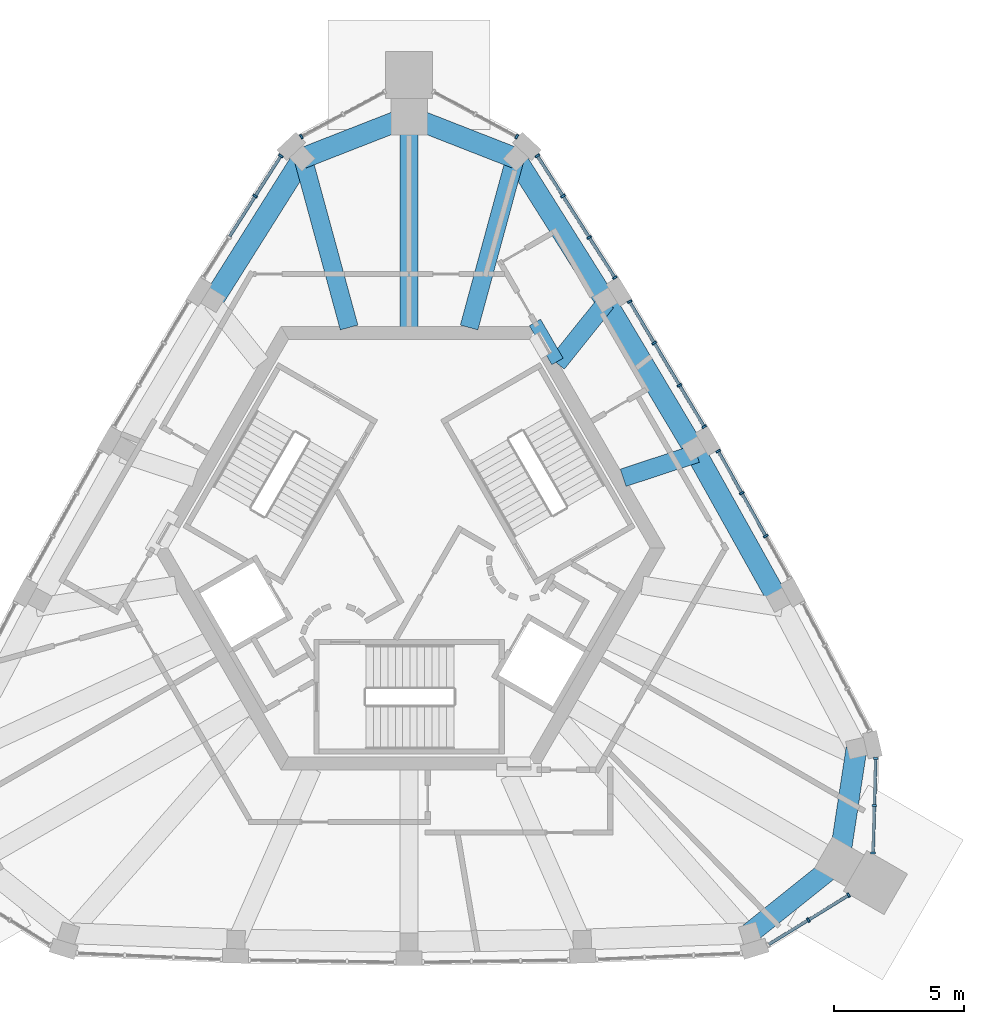
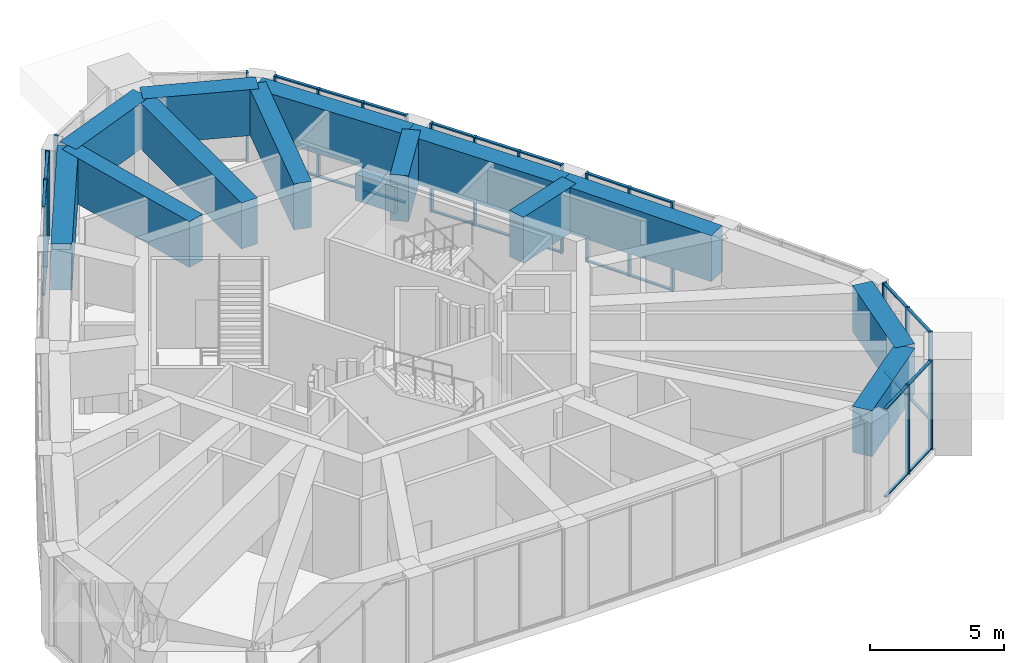
# One storey, part 4 of 11: 48 members, 14 beams, 8 elements without a shape of their own.
"""IFC4 building model written with IfcOpenShell, lengths in metres."""

from ifc_helpers import new_model, si_unit, direction, frame, origin, origin_2d, place, context, subcontext, project, spatial, rectangle, extrude, material, material_profile, profile_set, type_object, element, aggregate, save


model = new_model("IFC4")

# Units and contexts
model_context = context("Model", 3, precision=1e-05, world=origin(), true_north=direction((0.0, 1.0)))
body_context = subcontext(model_context, "Body", "Model", "MODEL_VIEW")
ifc_project = project(units=[si_unit("LENGTHUNIT", "METRE"), si_unit("AREAUNIT", "SQUARE_METRE"), si_unit("VOLUMEUNIT", "CUBIC_METRE"), si_unit("PLANEANGLEUNIT", "RADIAN"), si_unit("MASSUNIT", "GRAM", prefix="KILO")], contexts=[model_context])

# Site, building, storey
site_placement = place(None, origin())
site = spatial("IfcSite", under=ifc_project, at=site_placement, CompositionType="ELEMENT")
building_placement = place(site_placement, origin())
building = spatial("IfcBuilding", under=site, at=building_placement, Name="Entoto Arch Interchange Tower", CompositionType="ELEMENT")
storey_placement = place(building_placement, frame((0.0, 0.0, 353.89990234375)))
storey = spatial("IfcBuildingStorey", under=building, at=storey_placement, Name="L83", CompositionType="ELEMENT", Elevation=353.89990234375)

# Beams
ifc_material_1 = material(Name="Concrete C40/50", Category="concrete")
ifc_material_profile_1 = material_profile(ifc_material_1, rectangle(XDim=0.5, YDim=1.199951171875, at=origin_2d()))
ifc_profile_set_1 = profile_set([ifc_material_profile_1], Name="Concrete C40/50")
beam_type_1 = type_object("IfcBeamType", Name="Coupling beam RC 500x1200 C40/50", PredefinedType="BEAM", material=ifc_profile_set_1)
beam_1_placement = place(storey_placement, frame((5.68603515625, 9.65087890625, 3.0), z_axis=(-0.500105721196, 0.865964357019, 0.0), x_axis=(-0.865964357019, -0.500105721196, 0.0)))
element("IfcBeam", 1, at=beam_1_placement, inside=storey, type_object=beam_type_1, Name="Coupling beam NE L83", PredefinedType="BEAM", context=body_context, shape_type="SweptSolid", body=[
    extrude(rectangle(XDim=0.5, YDim=1.199951171875, at=origin_2d()), origin(), (0.0, 0.0, 1.0), 1.727783203125),
])
ifc_material_profile_2 = material_profile(ifc_material_1, rectangle(XDim=0.800048828125, YDim=2.10009765625, at=origin_2d()))
ifc_profile_set_2 = profile_set([ifc_material_profile_2], Name="Concrete C40/50")
beam_type_2 = type_object("IfcBeamType", Name="Crown ring girder RC 800x2100 C40/50", PredefinedType="BEAM", material=ifc_profile_set_2)
beam_2_placement = place(storey_placement, frame((13.055908203125, -12.260986328125, 3.0), z_axis=(0.781112826412, 0.624389904159, 0.0), x_axis=(-0.624389904159, 0.781112826412, 0.0)))
element("IfcBeam", 2, at=beam_2_placement, inside=storey, type_object=beam_type_2, Name="Crown ring girder 05 L83", PredefinedType="BEAM", context=body_context, shape_type="SweptSolid", body=[
    extrude(rectangle(XDim=0.800048828125, YDim=2.10009765625, at=origin_2d()), origin(), (0.0, 0.0, 1.0), 4.391357421875),
])
beam_3_placement = place(storey_placement, frame((16.486083984375, -9.51904296875, 3.0), z_axis=(0.150440816184, 0.988619017026, 0.0), x_axis=(-0.988619017026, 0.150440816184, 0.0)))
element("IfcBeam", 3, at=beam_3_placement, inside=storey, type_object=beam_type_2, Name="Crown ring girder 06 L83", PredefinedType="BEAM", context=body_context, shape_type="SweptSolid", body=[
    extrude(rectangle(XDim=0.800048828125, YDim=2.10009765625, at=origin_2d()), origin(), (0.0, 0.0, 1.0), 4.39306640625),
])
for number, where, z_axis, x_axis, name in (
    (4, (14.14892578125, 0.5048828125, 3.0), (-0.487630923437, 0.87304987401, 0.0), (-0.87304987401, -0.487630923437, 0.0), "Crown ring girder 08 L83"),
    (5, (10.912109375, 6.300048828125, 3.0), (-0.512233087574, 0.85884647289, 0.0), (-0.85884647289, -0.512233087574, 0.0), "Crown ring girder 09 L83"),
):
    element("IfcBeam", number, at=place(storey_placement, frame(where, z_axis=z_axis, x_axis=x_axis)), inside=storey, type_object=beam_type_2, Name=name, PredefinedType="BEAM", context=body_context, shape_type="SweptSolid", body=[
        extrude(rectangle(XDim=0.800048828125, YDim=2.10009765625, at=origin_2d()), origin(), (0.0, 0.0, 1.0), 6.637939453125),
    ])
beam_4_placement = place(storey_placement, frame((7.511962890625, 12.0009765625, 3.0), z_axis=(-0.53261363979, 0.846358500111, 0.0), x_axis=(-0.846358500111, -0.53261363979, 0.0)))
element("IfcBeam", 6, at=beam_4_placement, inside=storey, type_object=beam_type_2, Name="Crown ring girder 10 L83", PredefinedType="BEAM", context=body_context, shape_type="SweptSolid", body=[
    extrude(rectangle(XDim=0.800048828125, YDim=2.10009765625, at=origin_2d()), origin(), (0.0, 0.0, 1.0), 6.4228515625),
])
for number, where, z_axis, x_axis, name in (
    (7, (4.091064453125, 17.43701171875, 3.0), (-0.931300986831, 0.364250562015, 0.0), (-0.364250562015, -0.931300986831, 0.0), "Crown ring girder 11 L83"),
    (8, (0.0, 19.037109375, 3.0), (-0.931300986831, -0.364250562015, 0.0), (0.364250562015, -0.931300986831, 0.0), "Crown ring girder 12 L83"),
):
    element("IfcBeam", number, at=place(storey_placement, frame(where, z_axis=z_axis, x_axis=x_axis)), inside=storey, type_object=beam_type_2, Name=name, PredefinedType="BEAM", context=body_context, shape_type="SweptSolid", body=[
        extrude(rectangle(XDim=0.800048828125, YDim=2.10009765625, at=origin_2d()), origin(), (0.0, 0.0, 1.0), 4.392822265625),
    ])
beam_5_placement = place(storey_placement, frame((-4.091064453125, 17.43701171875, 3.0), z_axis=(-0.53261363979, -0.846358500111, 0.0), x_axis=(0.846358500111, -0.53261363979, 0.0)))
element("IfcBeam", 9, at=beam_5_placement, inside=storey, type_object=beam_type_2, Name="Crown ring girder 13 L83", PredefinedType="BEAM", context=body_context, shape_type="SweptSolid", body=[
    extrude(rectangle(XDim=0.800048828125, YDim=2.10009765625, at=origin_2d()), origin(), (0.0, 0.0, 1.0), 6.4228515625),
])
ifc_material_profile_3 = material_profile(ifc_material_1, rectangle(XDim=0.699951171875, YDim=2.10009765625, at=origin_2d()))
ifc_profile_set_3 = profile_set([ifc_material_profile_3], Name="Concrete C40/50")
beam_type_3 = type_object("IfcBeamType", Name="Crown transfer beam RC 700x2100 C40/50", PredefinedType="BEAM", material=ifc_profile_set_3)
beam_6_placement = place(storey_placement, frame((8.202880859375, 5.194091796875, 3.0), z_axis=(0.950011473075, 0.312214991673, 0.0), x_axis=(-0.312214991673, 0.950011473075, 0.0)))
element("IfcBeam", 10, at=beam_6_placement, inside=storey, type_object=beam_type_3, Name="Transfer beam NE03 L83", PredefinedType="BEAM", context=body_context, shape_type="SweptSolid", body=[
    extrude(rectangle(XDim=0.699951171875, YDim=2.10009765625, at=origin_2d()), origin(), (0.0, 0.0, 1.0), 2.958984375),
])
beam_7_placement = place(storey_placement, frame((5.676025390625, 9.574951171875, 3.0), z_axis=(0.62561453943, 0.780132327271, 0.0), x_axis=(-0.780132327271, 0.62561453943, 0.0)))
element("IfcBeam", 11, at=beam_7_placement, inside=storey, type_object=beam_type_3, Name="Transfer beam NE04 L83", PredefinedType="BEAM", context=body_context, shape_type="SweptSolid", body=[
    extrude(rectangle(XDim=0.699951171875, YDim=2.10009765625, at=origin_2d()), origin(), (0.0, 0.0, 1.0), 3.010009765625),
])
beam_8_placement = place(storey_placement, frame((2.300048828125, 10.951904296875, 3.0), z_axis=(0.26252495127, 0.964925204335, 0.0), x_axis=(-0.964925204335, 0.26252495127, 0.0)))
element("IfcBeam", 12, at=beam_8_placement, inside=storey, type_object=beam_type_3, Name="Transfer beam NE05 L83", PredefinedType="BEAM", context=body_context, shape_type="SweptSolid", body=[
    extrude(rectangle(XDim=0.699951171875, YDim=2.10009765625, at=origin_2d()), origin(), (0.0, 0.0, 1.0), 6.730224609375),
])
beam_9_placement = place(storey_placement, frame((0.0, 10.949951171875, 3.0), z_axis=(0.0, 1.0, 0.0), x_axis=(-1.0, 0.0, 0.0)))
element("IfcBeam", 13, at=beam_9_placement, inside=storey, type_object=beam_type_3, Name="Transfer beam N1 L83", PredefinedType="BEAM", context=body_context, shape_type="SweptSolid", body=[
    extrude(rectangle(XDim=0.699951171875, YDim=2.10009765625, at=origin_2d()), origin(), (0.0, 0.0, 1.0), 7.737060546875),
])
beam_10_placement = place(storey_placement, frame((-2.300048828125, 10.951904296875, 3.0), z_axis=(-0.26252495127, 0.964925204335, 0.0), x_axis=(-0.964925204335, -0.26252495127, 0.0)))
element("IfcBeam", 14, at=beam_10_placement, inside=storey, type_object=beam_type_3, Name="Transfer beam NW01 L83", PredefinedType="BEAM", context=body_context, shape_type="SweptSolid", body=[
    extrude(rectangle(XDim=0.699951171875, YDim=2.10009765625, at=origin_2d()), origin(), (0.0, 0.0, 1.0), 6.730224609375),
])

# Curtain wall, members
ifc_material_2 = material(Name="Aluminium, anodised", Category="aluminium")
curtain_wall_type = type_object("IfcCurtainWallType", Name="CURTAIN WALL CROWN LANTERN", PredefinedType="NOTDEFINED", material=ifc_material_2)
curtain_wall_1_placement = place(storey_placement, origin())
curtain_wall_1 = element("IfcCurtainWall", 15, at=curtain_wall_1_placement, inside=storey, type_object=curtain_wall_type, Name="Crown Lantern glazing SE-01 L83", PredefinedType="NOTDEFINED")
ifc_material_profile_4 = material_profile(ifc_material_2, rectangle(XDim=0.179931640625, YDim=0.080078125, at=origin_2d()))
ifc_profile_set_4 = profile_set([ifc_material_profile_4], Name="Aluminium, anodised")
member_type_1 = type_object("IfcMemberType", Name="MULLION CROWN LANTERN 80x180", PredefinedType="MULLION", material=ifc_profile_set_4)
member_1_placement = place(storey_placement, frame((15.300048828125, -11.756103515625, 0.0), z_axis=(0.0, 0.0, 1.0), x_axis=(-0.524217783401, 0.851584238679, 0.0)))
member_1 = element("IfcMember", 16, at=member_1_placement, type_object=member_type_1, Name="CWL mullion 2", PredefinedType="MULLION", context=body_context, shape_type="SweptSolid", body=[
    extrude(rectangle(XDim=0.179931640625, YDim=0.080078125, at=origin_2d()), origin(), (0.0, 0.0, 1.0), 4.050048828125),
])
member_2_placement = place(storey_placement, frame((16.844970703125, -10.804931640625, 0.0), z_axis=(0.0, 0.0, 1.0), x_axis=(-0.524217783401, 0.851584238679, 0.0)))
member_2 = element("IfcMember", 17, at=member_2_placement, type_object=member_type_1, Name="CWL mullion 3", PredefinedType="MULLION", context=body_context, shape_type="SweptSolid", body=[
    extrude(rectangle(XDim=0.179931640625, YDim=0.080078125, at=origin_2d()), origin(), (0.0, 0.0, 1.0), 4.050048828125),
])

curtain_wall_2_placement = place(storey_placement, origin())
curtain_wall_2 = element("IfcCurtainWall", 18, at=curtain_wall_2_placement, inside=storey, type_object=curtain_wall_type, Name="Crown Lantern glazing SE-02 L83", PredefinedType="NOTDEFINED")
member_3_placement = place(storey_placement, frame((17.779052734375, -9.18701171875, 0.0), z_axis=(0.0, 0.0, 1.0), x_axis=(-0.99959952631, 0.028298180179, 0.0)))
member_3 = element("IfcMember", 19, at=member_3_placement, type_object=member_type_1, Name="CWL mullion 1", PredefinedType="MULLION", context=body_context, shape_type="SweptSolid", body=[
    extrude(rectangle(XDim=0.179931640625, YDim=0.080078125, at=origin_2d()), origin(), (0.0, 0.0, 1.0), 4.050048828125),
])
member_4_placement = place(storey_placement, frame((17.83056640625, -7.37255859375, 0.0), z_axis=(0.0, 0.0, 1.0), x_axis=(-0.99959952631, 0.028298180179, 0.0)))
member_4 = element("IfcMember", 20, at=member_4_placement, type_object=member_type_1, Name="CWL mullion 2", PredefinedType="MULLION", context=body_context, shape_type="SweptSolid", body=[
    extrude(rectangle(XDim=0.179931640625, YDim=0.080078125, at=origin_2d()), origin(), (0.0, 0.0, 1.0), 4.050048828125),
])
member_5_placement = place(storey_placement, frame((17.8818359375, -5.55810546875, 0.0), z_axis=(0.0, 0.0, 1.0), x_axis=(-0.99959952631, 0.028298180179, 0.0)))
member_5 = element("IfcMember", 21, at=member_5_placement, type_object=member_type_1, Name="CWL mullion 3", PredefinedType="MULLION", context=body_context, shape_type="SweptSolid", body=[
    extrude(rectangle(XDim=0.179931640625, YDim=0.080078125, at=origin_2d()), origin(), (0.0, 0.0, 1.0), 4.050048828125),
])

curtain_wall_3_placement = place(storey_placement, origin())
curtain_wall_3 = element("IfcCurtainWall", 22, at=curtain_wall_3_placement, inside=storey, type_object=curtain_wall_type, Name="Crown Lantern glazing NE-02 L83", PredefinedType="NOTDEFINED")
member_6_placement = place(storey_placement, frame((13.667236328125, 2.956787109375, 0.0), z_axis=(0.0, 0.0, 1.0), x_axis=(-0.872963388875, -0.487785733375, 0.0)))
member_6 = element("IfcMember", 23, at=member_6_placement, type_object=member_type_1, Name="CWL mullion 2", PredefinedType="MULLION", context=body_context, shape_type="SweptSolid", body=[
    extrude(rectangle(XDim=0.179931640625, YDim=0.080078125, at=origin_2d()), origin(), (0.0, 0.0, 1.0), 4.050048828125),
])
member_7_placement = place(storey_placement, frame((12.74658203125, 4.604248046875, 0.0), z_axis=(0.0, 0.0, 1.0), x_axis=(-0.872963388875, -0.487785733375, 0.0)))
member_7 = element("IfcMember", 24, at=member_7_placement, type_object=member_type_1, Name="CWL mullion 3", PredefinedType="MULLION", context=body_context, shape_type="SweptSolid", body=[
    extrude(rectangle(XDim=0.179931640625, YDim=0.080078125, at=origin_2d()), origin(), (0.0, 0.0, 1.0), 4.050048828125),
])
member_8_placement = place(storey_placement, frame((11.845458984375, 6.217041015625, 0.0), z_axis=(0.0, 0.0, 1.0), x_axis=(-0.872963388875, -0.487785733375, 0.0)))
member_8 = element("IfcMember", 25, at=member_8_placement, type_object=member_type_1, Name="CWL mullion 4", PredefinedType="MULLION", context=body_context, shape_type="SweptSolid", body=[
    extrude(rectangle(XDim=0.179931640625, YDim=0.080078125, at=origin_2d()), origin(), (0.0, 0.0, 1.0), 4.050048828125),
])

curtain_wall_4_placement = place(storey_placement, origin())
curtain_wall_4 = element("IfcCurtainWall", 26, at=curtain_wall_4_placement, inside=storey, type_object=curtain_wall_type, Name="Crown Lantern glazing NE-03 L83", PredefinedType="NOTDEFINED")
member_9_placement = place(storey_placement, frame((11.306396484375, 7.150390625, 0.0), z_axis=(0.0, 0.0, 1.0), x_axis=(-0.858876754002, -0.512182312692, 0.0)))
member_9 = element("IfcMember", 27, at=member_9_placement, type_object=member_type_1, Name="CWL mullion 1", PredefinedType="MULLION", context=body_context, shape_type="SweptSolid", body=[
    extrude(rectangle(XDim=0.179931640625, YDim=0.080078125, at=origin_2d()), origin(), (0.0, 0.0, 1.0), 4.050048828125),
])
member_10_placement = place(storey_placement, frame((10.3603515625, 8.737060546875, 0.0), z_axis=(0.0, 0.0, 1.0), x_axis=(-0.858876754002, -0.512182312692, 0.0)))
member_10 = element("IfcMember", 28, at=member_10_placement, type_object=member_type_1, Name="CWL mullion 2", PredefinedType="MULLION", context=body_context, shape_type="SweptSolid", body=[
    extrude(rectangle(XDim=0.179931640625, YDim=0.080078125, at=origin_2d()), origin(), (0.0, 0.0, 1.0), 4.050048828125),
])
member_11_placement = place(storey_placement, frame((9.3935546875, 10.35791015625, 0.0), z_axis=(0.0, 0.0, 1.0), x_axis=(-0.858876754002, -0.512182312692, 0.0)))
member_11 = element("IfcMember", 29, at=member_11_placement, type_object=member_type_1, Name="CWL mullion 3", PredefinedType="MULLION", context=body_context, shape_type="SweptSolid", body=[
    extrude(rectangle(XDim=0.179931640625, YDim=0.080078125, at=origin_2d()), origin(), (0.0, 0.0, 1.0), 4.050048828125),
])
member_12_placement = place(storey_placement, frame((8.447509765625, 11.944580078125, 0.0), z_axis=(0.0, 0.0, 1.0), x_axis=(-0.858876754002, -0.512182312692, 0.0)))
member_12 = element("IfcMember", 30, at=member_12_placement, type_object=member_type_1, Name="CWL mullion 4", PredefinedType="MULLION", context=body_context, shape_type="SweptSolid", body=[
    extrude(rectangle(XDim=0.179931640625, YDim=0.080078125, at=origin_2d()), origin(), (0.0, 0.0, 1.0), 4.050048828125),
])

curtain_wall_5_placement = place(storey_placement, origin())
curtain_wall_5 = element("IfcCurtainWall", 31, at=curtain_wall_5_placement, inside=storey, type_object=curtain_wall_type, Name="Crown Lantern glazing NE-04 L83", PredefinedType="NOTDEFINED")
member_13_placement = place(storey_placement, frame((7.882568359375, 12.86279296875, 0.0), z_axis=(0.0, 0.0, 1.0), x_axis=(-0.843940140755, -0.536437357781, 0.0)))
member_13 = element("IfcMember", 32, at=member_13_placement, type_object=member_type_1, Name="CWL mullion 1", PredefinedType="MULLION", context=body_context, shape_type="SweptSolid", body=[
    extrude(rectangle(XDim=0.179931640625, YDim=0.080078125, at=origin_2d()), origin(), (0.0, 0.0, 1.0), 4.050048828125),
])
member_14_placement = place(storey_placement, frame((6.900390625, 14.407958984375, 0.0), z_axis=(0.0, 0.0, 1.0), x_axis=(-0.843940140755, -0.536437357781, 0.0)))
member_14 = element("IfcMember", 33, at=member_14_placement, type_object=member_type_1, Name="CWL mullion 2", PredefinedType="MULLION", context=body_context, shape_type="SweptSolid", body=[
    extrude(rectangle(XDim=0.179931640625, YDim=0.080078125, at=origin_2d()), origin(), (0.0, 0.0, 1.0), 4.050048828125),
])
member_15_placement = place(storey_placement, frame((5.896728515625, 15.987060546875, 0.0), z_axis=(0.0, 0.0, 1.0), x_axis=(-0.843940140755, -0.536437357781, 0.0)))
member_15 = element("IfcMember", 34, at=member_15_placement, type_object=member_type_1, Name="CWL mullion 3", PredefinedType="MULLION", context=body_context, shape_type="SweptSolid", body=[
    extrude(rectangle(XDim=0.179931640625, YDim=0.080078125, at=origin_2d()), origin(), (0.0, 0.0, 1.0), 4.050048828125),
])
member_16_placement = place(storey_placement, frame((4.91455078125, 17.5322265625, 0.0), z_axis=(0.0, 0.0, 1.0), x_axis=(-0.843940140755, -0.536437357781, 0.0)))
member_16 = element("IfcMember", 35, at=member_16_placement, type_object=member_type_1, Name="CWL mullion 4", PredefinedType="MULLION", context=body_context, shape_type="SweptSolid", body=[
    extrude(rectangle(XDim=0.179931640625, YDim=0.080078125, at=origin_2d()), origin(), (0.0, 0.0, 1.0), 4.050048828125),
])

# Curtain wall, member
curtain_wall_6_placement = place(storey_placement, origin())
curtain_wall_6 = element("IfcCurtainWall", 36, at=curtain_wall_6_placement, inside=storey, type_object=curtain_wall_type, Name="Crown Lantern glazing N-01 L83", PredefinedType="NOTDEFINED")
member_17_placement = place(storey_placement, frame((4.126708984375, 18.26611328125, 0.0), z_axis=(0.0, 0.0, 1.0), x_axis=(-0.475144739105, -0.879907652484, 0.0)))
member_17 = element("IfcMember", 37, at=member_17_placement, type_object=member_type_1, Name="CWL mullion 1", PredefinedType="MULLION", context=body_context, shape_type="SweptSolid", body=[
    extrude(rectangle(XDim=0.179931640625, YDim=0.080078125, at=origin_2d()), origin(), (0.0, 0.0, 1.0), 4.050048828125),
])
aggregate(curtain_wall_6, [member_17])

curtain_wall_7_placement = place(storey_placement, origin())
curtain_wall_7 = element("IfcCurtainWall", 38, at=curtain_wall_7_placement, inside=storey, type_object=curtain_wall_type, Name="Crown Lantern glazing N-02 L83", PredefinedType="NOTDEFINED")
member_18_placement = place(storey_placement, frame((-4.126708984375, 18.26611328125, 0.0), z_axis=(0.0, 0.0, 1.0), x_axis=(0.475144739105, -0.879907652484, 0.0)))
member_18 = element("IfcMember", 39, at=member_18_placement, type_object=member_type_1, Name="CWL mullion 3", PredefinedType="MULLION", context=body_context, shape_type="SweptSolid", body=[
    extrude(rectangle(XDim=0.179931640625, YDim=0.080078125, at=origin_2d()), origin(), (0.0, 0.0, 1.0), 4.050048828125),
])
aggregate(curtain_wall_7, [member_18])

# Curtain wall, members
curtain_wall_8_placement = place(storey_placement, origin())
curtain_wall_8 = element("IfcCurtainWall", 40, at=curtain_wall_8_placement, inside=storey, type_object=curtain_wall_type, Name="Crown Lantern glazing NW-01 L83", PredefinedType="NOTDEFINED")
member_19_placement = place(storey_placement, frame((-4.91455078125, 17.5322265625, 0.0), z_axis=(0.0, 0.0, 1.0), x_axis=(0.843940140755, -0.536437357781, 0.0)))
member_19 = element("IfcMember", 41, at=member_19_placement, type_object=member_type_1, Name="CWL mullion 1", PredefinedType="MULLION", context=body_context, shape_type="SweptSolid", body=[
    extrude(rectangle(XDim=0.179931640625, YDim=0.080078125, at=origin_2d()), origin(), (0.0, 0.0, 1.0), 4.050048828125),
])
member_20_placement = place(storey_placement, frame((-5.896728515625, 15.987060546875, 0.0), z_axis=(0.0, 0.0, 1.0), x_axis=(0.843940140755, -0.536437357781, 0.0)))
member_20 = element("IfcMember", 42, at=member_20_placement, type_object=member_type_1, Name="CWL mullion 2", PredefinedType="MULLION", context=body_context, shape_type="SweptSolid", body=[
    extrude(rectangle(XDim=0.179931640625, YDim=0.080078125, at=origin_2d()), origin(), (0.0, 0.0, 1.0), 4.050048828125),
])

# Member
ifc_material_profile_5 = material_profile(ifc_material_2, rectangle(XDim=0.1201171875, YDim=0.06005859375, at=origin_2d()))
ifc_profile_set_5 = profile_set([ifc_material_profile_5], Name="Aluminium, anodised")
member_type_2 = type_object("IfcMemberType", Name="TRANSOM CROWN LANTERN 60x120", PredefinedType="USERDEFINED", material=ifc_profile_set_5)
member_21_placement = place(storey_placement, frame((13.7890625, -12.68603515625, 0.030029296875), z_axis=(0.851561631139, 0.524254507251, 0.0), x_axis=(-0.524254507251, 0.851561631139, 0.0)))
member_21 = element("IfcMember", 43, at=member_21_placement, type_object=member_type_2, Name="CWL transom 1.1", ObjectType="TRANSOM", PredefinedType="USERDEFINED", context=body_context, shape_type="SweptSolid", body=[
    extrude(rectangle(XDim=0.1201171875, YDim=0.06005859375, at=origin_2d()), origin(), (0.0, 0.0, 1.0), 1.734130859375),
])

member_22_placement = place(storey_placement, frame((13.7890625, -12.68603515625, 4.02001953125), z_axis=(0.851561631139, 0.524254507251, 0.0), x_axis=(-0.524254507251, 0.851561631139, 0.0)))
member_22 = element("IfcMember", 44, at=member_22_placement, type_object=member_type_2, Name="CWL transom 1.2", ObjectType="TRANSOM", PredefinedType="USERDEFINED", context=body_context, shape_type="SweptSolid", body=[
    extrude(rectangle(XDim=0.1201171875, YDim=0.06005859375, at=origin_2d()), origin(), (0.0, 0.0, 1.0), 1.734130859375),
])

member_23_placement = place(storey_placement, frame((15.333984375, -11.735107421875, 0.030029296875), z_axis=(0.851561631139, 0.524254507251, 0.0), x_axis=(-0.524254507251, 0.851561631139, 0.0)))
member_23 = element("IfcMember", 45, at=member_23_placement, type_object=member_type_2, Name="CWL transom 2.1", ObjectType="TRANSOM", PredefinedType="USERDEFINED", context=body_context, shape_type="SweptSolid", body=[
    extrude(rectangle(XDim=0.1201171875, YDim=0.06005859375, at=origin_2d()), origin(), (0.0, 0.0, 1.0), 1.734130859375),
])

member_24_placement = place(storey_placement, frame((15.333984375, -11.735107421875, 4.02001953125), z_axis=(0.851561631139, 0.524254507251, 0.0), x_axis=(-0.524254507251, 0.851561631139, 0.0)))
member_24 = element("IfcMember", 46, at=member_24_placement, type_object=member_type_2, Name="CWL transom 2.2", ObjectType="TRANSOM", PredefinedType="USERDEFINED", context=body_context, shape_type="SweptSolid", body=[
    extrude(rectangle(XDim=0.1201171875, YDim=0.06005859375, at=origin_2d()), origin(), (0.0, 0.0, 1.0), 1.734130859375),
])

aggregate(curtain_wall_1, [member_1, member_2, member_21, member_22, member_23, member_24])

member_25_placement = place(storey_placement, frame((17.7802734375, -9.14697265625, 0.030029296875), z_axis=(0.028282600425, 0.999599967244, 0.0), x_axis=(-0.999599967244, 0.028282600425, 0.0)))
member_25 = element("IfcMember", 47, at=member_25_placement, type_object=member_type_2, Name="CWL transom 1.1", ObjectType="TRANSOM", PredefinedType="USERDEFINED", context=body_context, shape_type="SweptSolid", body=[
    extrude(rectangle(XDim=0.1201171875, YDim=0.06005859375, at=origin_2d()), origin(), (0.0, 0.0, 1.0), 1.735107421875),
])

member_26_placement = place(storey_placement, frame((17.7802734375, -9.14697265625, 4.02001953125), z_axis=(0.028282600425, 0.999599967244, 0.0), x_axis=(-0.999599967244, 0.028282600425, 0.0)))
member_26 = element("IfcMember", 48, at=member_26_placement, type_object=member_type_2, Name="CWL transom 1.2", ObjectType="TRANSOM", PredefinedType="USERDEFINED", context=body_context, shape_type="SweptSolid", body=[
    extrude(rectangle(XDim=0.1201171875, YDim=0.06005859375, at=origin_2d()), origin(), (0.0, 0.0, 1.0), 1.735107421875),
])

member_27_placement = place(storey_placement, frame((17.83154296875, -7.33251953125, 0.030029296875), z_axis=(0.028278622946, 0.999600079774, 0.0), x_axis=(-0.999600079774, 0.028278622946, 0.0)))
member_27 = element("IfcMember", 49, at=member_27_placement, type_object=member_type_2, Name="CWL transom 2.1", ObjectType="TRANSOM", PredefinedType="USERDEFINED", context=body_context, shape_type="SweptSolid", body=[
    extrude(rectangle(XDim=0.1201171875, YDim=0.06005859375, at=origin_2d()), origin(), (0.0, 0.0, 1.0), 1.7353515625),
])

member_28_placement = place(storey_placement, frame((17.83154296875, -7.33251953125, 4.02001953125), z_axis=(0.028278622946, 0.999600079774, 0.0), x_axis=(-0.999600079774, 0.028278622946, 0.0)))
member_28 = element("IfcMember", 50, at=member_28_placement, type_object=member_type_2, Name="CWL transom 2.2", ObjectType="TRANSOM", PredefinedType="USERDEFINED", context=body_context, shape_type="SweptSolid", body=[
    extrude(rectangle(XDim=0.1201171875, YDim=0.06005859375, at=origin_2d()), origin(), (0.0, 0.0, 1.0), 1.7353515625),
])

aggregate(curtain_wall_2, [member_3, member_4, member_5, member_25, member_26, member_27, member_28])

member_29_placement = place(storey_placement, frame((13.647705078125, 2.99169921875, 0.030029296875), z_axis=(-0.487809246733, 0.872950249901, 0.0), x_axis=(-0.872950249901, -0.487809246733, 0.0)))
member_29 = element("IfcMember", 51, at=member_29_placement, type_object=member_type_2, Name="CWL transom 2.1", ObjectType="TRANSOM", PredefinedType="USERDEFINED", context=body_context, shape_type="SweptSolid", body=[
    extrude(rectangle(XDim=0.1201171875, YDim=0.06005859375, at=origin_2d()), origin(), (0.0, 0.0, 1.0), 1.80712890625),
])

member_30_placement = place(storey_placement, frame((13.647705078125, 2.99169921875, 4.02001953125), z_axis=(-0.487809246733, 0.872950249901, 0.0), x_axis=(-0.872950249901, -0.487809246733, 0.0)))
member_30 = element("IfcMember", 52, at=member_30_placement, type_object=member_type_2, Name="CWL transom 2.2", ObjectType="TRANSOM", PredefinedType="USERDEFINED", context=body_context, shape_type="SweptSolid", body=[
    extrude(rectangle(XDim=0.1201171875, YDim=0.06005859375, at=origin_2d()), origin(), (0.0, 0.0, 1.0), 1.80712890625),
])

member_31_placement = place(storey_placement, frame((12.72705078125, 4.63916015625, 0.030029296875), z_axis=(-0.487740862592, 0.872988459808, 0.0), x_axis=(-0.872988459808, -0.487740862592, 0.0)))
member_31 = element("IfcMember", 53, at=member_31_placement, type_object=member_type_2, Name="CWL transom 3.1", ObjectType="TRANSOM", PredefinedType="USERDEFINED", context=body_context, shape_type="SweptSolid", body=[
    extrude(rectangle(XDim=0.1201171875, YDim=0.06005859375, at=origin_2d()), origin(), (0.0, 0.0, 1.0), 1.767578125),
])

member_32_placement = place(storey_placement, frame((12.72705078125, 4.63916015625, 4.02001953125), z_axis=(-0.487740862592, 0.872988459808, 0.0), x_axis=(-0.872988459808, -0.487740862592, 0.0)))
member_32 = element("IfcMember", 54, at=member_32_placement, type_object=member_type_2, Name="CWL transom 3.2", ObjectType="TRANSOM", PredefinedType="USERDEFINED", context=body_context, shape_type="SweptSolid", body=[
    extrude(rectangle(XDim=0.1201171875, YDim=0.06005859375, at=origin_2d()), origin(), (0.0, 0.0, 1.0), 1.767578125),
])

aggregate(curtain_wall_3, [member_6, member_7, member_8, member_29, member_30, member_31, member_32])

member_33_placement = place(storey_placement, frame((11.2861328125, 7.184814453125, 0.030029296875), z_axis=(-0.512238974242, 0.858842961936, 0.0), x_axis=(-0.858842961936, -0.512238974242, 0.0)))
member_33 = element("IfcMember", 55, at=member_33_placement, type_object=member_type_2, Name="CWL transom 1.1", ObjectType="TRANSOM", PredefinedType="USERDEFINED", context=body_context, shape_type="SweptSolid", body=[
    extrude(rectangle(XDim=0.1201171875, YDim=0.06005859375, at=origin_2d()), origin(), (0.0, 0.0, 1.0), 1.767333984375),
])

member_34_placement = place(storey_placement, frame((11.2861328125, 7.184814453125, 4.02001953125), z_axis=(-0.512238974242, 0.858842961936, 0.0), x_axis=(-0.858842961936, -0.512238974242, 0.0)))
member_34 = element("IfcMember", 56, at=member_34_placement, type_object=member_type_2, Name="CWL transom 1.2", ObjectType="TRANSOM", PredefinedType="USERDEFINED", context=body_context, shape_type="SweptSolid", body=[
    extrude(rectangle(XDim=0.1201171875, YDim=0.06005859375, at=origin_2d()), origin(), (0.0, 0.0, 1.0), 1.767333984375),
])

member_35_placement = place(storey_placement, frame((10.33984375, 8.771240234375, 0.030029296875), z_axis=(-0.512169937782, 0.858884133532, 0.0), x_axis=(-0.858884133532, -0.512169937782, 0.0)))
member_35 = element("IfcMember", 57, at=member_35_placement, type_object=member_type_2, Name="CWL transom 2.1", ObjectType="TRANSOM", PredefinedType="USERDEFINED", context=body_context, shape_type="SweptSolid", body=[
    extrude(rectangle(XDim=0.1201171875, YDim=0.06005859375, at=origin_2d()), origin(), (0.0, 0.0, 1.0), 1.8076171875),
])

member_36_placement = place(storey_placement, frame((10.33984375, 8.771240234375, 4.02001953125), z_axis=(-0.512169937782, 0.858884133532, 0.0), x_axis=(-0.858884133532, -0.512169937782, 0.0)))
member_36 = element("IfcMember", 58, at=member_36_placement, type_object=member_type_2, Name="CWL transom 2.2", ObjectType="TRANSOM", PredefinedType="USERDEFINED", context=body_context, shape_type="SweptSolid", body=[
    extrude(rectangle(XDim=0.1201171875, YDim=0.06005859375, at=origin_2d()), origin(), (0.0, 0.0, 1.0), 1.8076171875),
])

member_37_placement = place(storey_placement, frame((9.373291015625, 10.392333984375, 0.030029296875), z_axis=(-0.512178205966, 0.858879202993, 0.0), x_axis=(-0.858879202993, -0.512178205966, 0.0)))
member_37 = element("IfcMember", 59, at=member_37_placement, type_object=member_type_2, Name="CWL transom 3.1", ObjectType="TRANSOM", PredefinedType="USERDEFINED", context=body_context, shape_type="SweptSolid", body=[
    extrude(rectangle(XDim=0.1201171875, YDim=0.06005859375, at=origin_2d()), origin(), (0.0, 0.0, 1.0), 1.767578125),
])

member_38_placement = place(storey_placement, frame((9.373291015625, 10.392333984375, 4.02001953125), z_axis=(-0.512178205966, 0.858879202993, 0.0), x_axis=(-0.858879202993, -0.512178205966, 0.0)))
member_38 = element("IfcMember", 60, at=member_38_placement, type_object=member_type_2, Name="CWL transom 3.2", ObjectType="TRANSOM", PredefinedType="USERDEFINED", context=body_context, shape_type="SweptSolid", body=[
    extrude(rectangle(XDim=0.1201171875, YDim=0.06005859375, at=origin_2d()), origin(), (0.0, 0.0, 1.0), 1.767578125),
])

aggregate(curtain_wall_4, [member_9, member_10, member_11, member_12, member_33, member_34, member_35, member_36, member_37, member_38])

member_39_placement = place(storey_placement, frame((7.861083984375, 12.896484375, 0.030029296875), z_axis=(-0.53638821694, 0.843971374353, 0.0), x_axis=(-0.843971374353, -0.53638821694, 0.0)))
member_39 = element("IfcMember", 61, at=member_39_placement, type_object=member_type_2, Name="CWL transom 1.1", ObjectType="TRANSOM", PredefinedType="USERDEFINED", context=body_context, shape_type="SweptSolid", body=[
    extrude(rectangle(XDim=0.1201171875, YDim=0.06005859375, at=origin_2d()), origin(), (0.0, 0.0, 1.0), 1.7509765625),
])

member_40_placement = place(storey_placement, frame((7.861083984375, 12.896484375, 4.02001953125), z_axis=(-0.53638821694, 0.843971374353, 0.0), x_axis=(-0.843971374353, -0.53638821694, 0.0)))
member_40 = element("IfcMember", 62, at=member_40_placement, type_object=member_type_2, Name="CWL transom 1.2", ObjectType="TRANSOM", PredefinedType="USERDEFINED", context=body_context, shape_type="SweptSolid", body=[
    extrude(rectangle(XDim=0.1201171875, YDim=0.06005859375, at=origin_2d()), origin(), (0.0, 0.0, 1.0), 1.7509765625),
])

member_41_placement = place(storey_placement, frame((6.87890625, 14.441650390625, 0.030029296875), z_axis=(-0.536416738248, 0.843953246885, 0.0), x_axis=(-0.843953246885, -0.536416738248, 0.0)))
member_41 = element("IfcMember", 63, at=member_41_placement, type_object=member_type_2, Name="CWL transom 2.1", ObjectType="TRANSOM", PredefinedType="USERDEFINED", context=body_context, shape_type="SweptSolid", body=[
    extrude(rectangle(XDim=0.1201171875, YDim=0.06005859375, at=origin_2d()), origin(), (0.0, 0.0, 1.0), 1.791015625),
])

member_42_placement = place(storey_placement, frame((6.87890625, 14.441650390625, 4.02001953125), z_axis=(-0.536416738248, 0.843953246885, 0.0), x_axis=(-0.843953246885, -0.536416738248, 0.0)))
member_42 = element("IfcMember", 64, at=member_42_placement, type_object=member_type_2, Name="CWL transom 2.2", ObjectType="TRANSOM", PredefinedType="USERDEFINED", context=body_context, shape_type="SweptSolid", body=[
    extrude(rectangle(XDim=0.1201171875, YDim=0.06005859375, at=origin_2d()), origin(), (0.0, 0.0, 1.0), 1.791015625),
])

member_43_placement = place(storey_placement, frame((5.875244140625, 16.020751953125, 0.030029296875), z_axis=(-0.53638821694, 0.843971374353, 0.0), x_axis=(-0.843971374353, -0.53638821694, 0.0)))
member_43 = element("IfcMember", 65, at=member_43_placement, type_object=member_type_2, Name="CWL transom 3.1", ObjectType="TRANSOM", PredefinedType="USERDEFINED", context=body_context, shape_type="SweptSolid", body=[
    extrude(rectangle(XDim=0.1201171875, YDim=0.06005859375, at=origin_2d()), origin(), (0.0, 0.0, 1.0), 1.7509765625),
])

member_44_placement = place(storey_placement, frame((5.875244140625, 16.020751953125, 4.02001953125), z_axis=(-0.53638821694, 0.843971374353, 0.0), x_axis=(-0.843971374353, -0.53638821694, 0.0)))
member_44 = element("IfcMember", 66, at=member_44_placement, type_object=member_type_2, Name="CWL transom 3.2", ObjectType="TRANSOM", PredefinedType="USERDEFINED", context=body_context, shape_type="SweptSolid", body=[
    extrude(rectangle(XDim=0.1201171875, YDim=0.06005859375, at=origin_2d()), origin(), (0.0, 0.0, 1.0), 1.7509765625),
])

aggregate(curtain_wall_5, [member_13, member_14, member_15, member_16, member_39, member_40, member_41, member_42, member_43, member_44])

member_45_placement = place(storey_placement, frame((-4.93603515625, 17.49853515625, 0.030029296875), z_axis=(-0.53638821694, -0.843971374353, 0.0), x_axis=(0.843971374353, -0.53638821694, 0.0)))
member_45 = element("IfcMember", 67, at=member_45_placement, type_object=member_type_2, Name="CWL transom 1.1", ObjectType="TRANSOM", PredefinedType="USERDEFINED", context=body_context, shape_type="SweptSolid", body=[
    extrude(rectangle(XDim=0.1201171875, YDim=0.06005859375, at=origin_2d()), origin(), (0.0, 0.0, 1.0), 1.7509765625),
])

member_46_placement = place(storey_placement, frame((-4.93603515625, 17.49853515625, 4.02001953125), z_axis=(-0.53638821694, -0.843971374353, 0.0), x_axis=(0.843971374353, -0.53638821694, 0.0)))
member_46 = element("IfcMember", 68, at=member_46_placement, type_object=member_type_2, Name="CWL transom 1.2", ObjectType="TRANSOM", PredefinedType="USERDEFINED", context=body_context, shape_type="SweptSolid", body=[
    extrude(rectangle(XDim=0.1201171875, YDim=0.06005859375, at=origin_2d()), origin(), (0.0, 0.0, 1.0), 1.7509765625),
])

member_47_placement = place(storey_placement, frame((-5.918212890625, 15.953125, 0.030029296875), z_axis=(-0.536416738248, -0.843953246885, 0.0), x_axis=(0.843953246885, -0.536416738248, 0.0)))
member_47 = element("IfcMember", 69, at=member_47_placement, type_object=member_type_2, Name="CWL transom 2.1", ObjectType="TRANSOM", PredefinedType="USERDEFINED", context=body_context, shape_type="SweptSolid", body=[
    extrude(rectangle(XDim=0.1201171875, YDim=0.06005859375, at=origin_2d()), origin(), (0.0, 0.0, 1.0), 1.791015625),
])

member_48_placement = place(storey_placement, frame((-5.918212890625, 15.953125, 4.02001953125), z_axis=(-0.536416738248, -0.843953246885, 0.0), x_axis=(0.843953246885, -0.536416738248, 0.0)))
member_48 = element("IfcMember", 70, at=member_48_placement, type_object=member_type_2, Name="CWL transom 2.2", ObjectType="TRANSOM", PredefinedType="USERDEFINED", context=body_context, shape_type="SweptSolid", body=[
    extrude(rectangle(XDim=0.1201171875, YDim=0.06005859375, at=origin_2d()), origin(), (0.0, 0.0, 1.0), 1.791015625),
])

aggregate(curtain_wall_8, [member_19, member_20, member_45, member_46, member_47, member_48])

save(model, "model.ifc")
